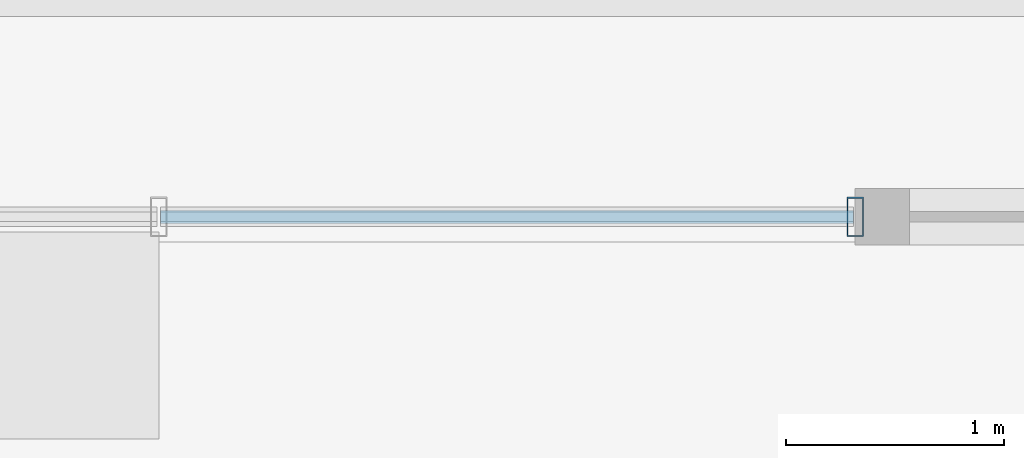
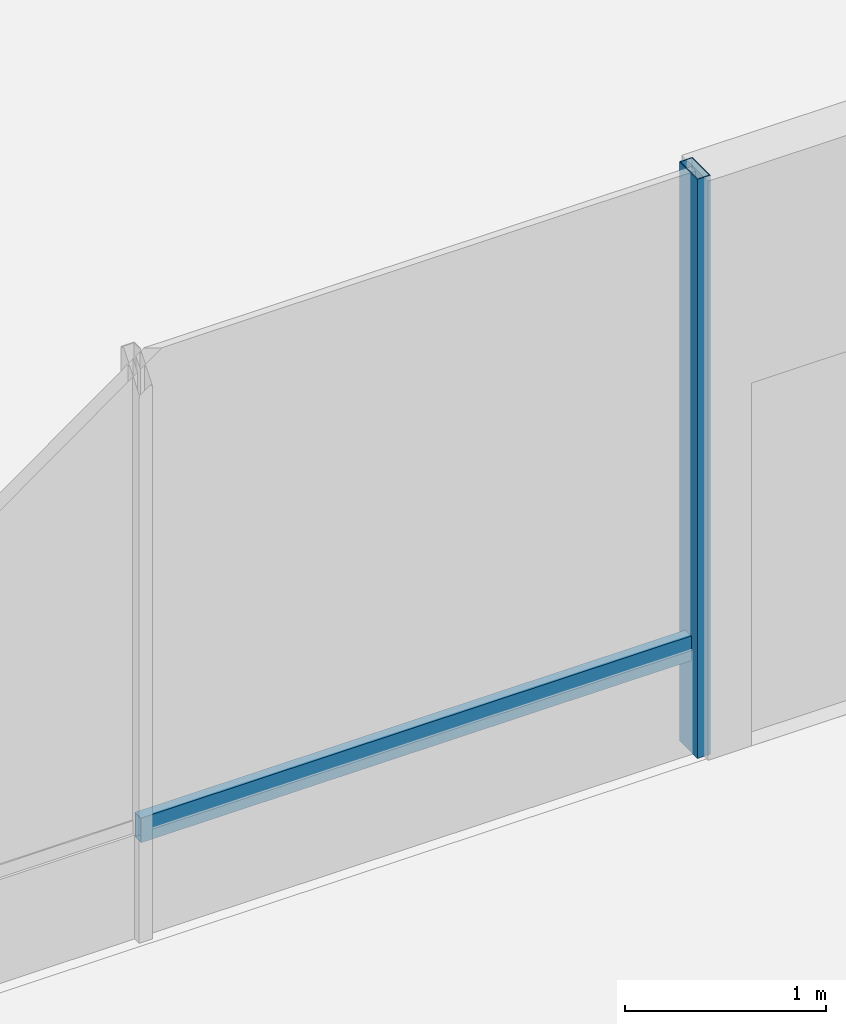
# One storey, part 3 of 18: 2 members, 1 element without a shape of its own.
"""IFC4 building model written with IfcOpenShell, lengths in metres."""

from ifc_helpers import new_model, si_unit, direction, frame, origin, origin_2d, place, context, subcontext, project, spatial, hollow_rectangle, extrude, material, layer, layer_set, material_profile, profile_set, type_object, element, aggregate, save


model = new_model("IFC4")

# Units and contexts
model_context = context("Model", 3, precision=1e-05, world=origin(), true_north=direction((0.0, 1.0)))
body_context = subcontext(model_context, "Body", "Model", "MODEL_VIEW")
ifc_project = project(units=[si_unit("LENGTHUNIT", "METRE"), si_unit("AREAUNIT", "SQUARE_METRE"), si_unit("VOLUMEUNIT", "CUBIC_METRE"), si_unit("PLANEANGLEUNIT", "RADIAN"), si_unit("MASSUNIT", "GRAM", prefix="KILO")], contexts=[model_context])

# Site, building, storey
site_placement = place(None, origin())
site = spatial("IfcSite", under=ifc_project, at=site_placement, CompositionType="ELEMENT")
building_placement = place(site_placement, origin())
building = spatial("IfcBuilding", under=site, at=building_placement, Name="Belovzor Exchange Tower", CompositionType="ELEMENT")
storey_placement = place(building_placement, frame((0.0, 0.0, 318.0)))
storey = spatial("IfcBuildingStorey", under=building, at=storey_placement, Name="L79", CompositionType="ELEMENT", Elevation=318.0)

# Curtain wall, members
ifc_material_1 = material(Name="Anodised Aluminium Framing", Category="aluminium")
ifc_layer = layer(ifc_material_1, 0.179931640625)
ifc_layer_set = layer_set([ifc_layer], Name="Anodised Aluminium Framing")
curtain_wall_type = type_object("IfcCurtainWallType", Name="Recessed Loggia Low-Iron Triple-Glazed Curtain Wall", PredefinedType="NOTDEFINED", material=ifc_layer_set)
curtain_wall_placement = place(storey_placement, origin())
curtain_wall = element("IfcCurtainWall", 1, at=curtain_wall_placement, inside=storey, type_object=curtain_wall_type, Name="CW3 Recessed Loggia Low-Iron Triple-Glazed Curtain Wall L79", PredefinedType="NOTDEFINED")
ifc_material_2 = material(Name="Steel S355", Category="steel")
ifc_material_profile_1 = material_profile(ifc_material_2, hollow_rectangle(XDim=0.074951171875, YDim=0.179931640625, WallThickness=0.0048828125, at=origin_2d()))
ifc_profile_set_1 = profile_set([ifc_material_profile_1], Name="Steel S355")
member_type_1 = type_object("IfcMemberType", Name="Thermally Broken Curtain Wall Mullion 180x75", PredefinedType="MULLION", material=ifc_profile_set_1)
member_1_placement = place(storey_placement, frame((33.60009765625, 6.1298828125, 0.0), z_axis=(0.0, 0.0, 1.0), x_axis=(-1.0, 0.0, 0.0)))
member_1 = element("IfcMember", 2, at=member_1_placement, type_object=member_type_1, Name="CW-M180 Curtain Wall Mullion 1", PredefinedType="MULLION", context=body_context, shape_type="SweptSolid", body=[
    extrude(hollow_rectangle(XDim=0.074951171875, YDim=0.179931640625, WallThickness=0.0048828125, at=origin_2d()), origin(), (0.0, 0.0, 1.0), 3.510009765625),
])
ifc_material_3 = material(Name="Steel S355", Category="steel")
ifc_material_profile_2 = material_profile(ifc_material_3, hollow_rectangle(XDim=0.06005859375, YDim=0.14990234375, WallThickness=0.00390625, at=origin_2d()))
ifc_profile_set_2 = profile_set([ifc_material_profile_2], Name="Steel S355")
member_type_2 = type_object("IfcMemberType", Name="Thermally Broken Curtain Wall Transom 150x60", PredefinedType="USERDEFINED", material=ifc_profile_set_2)
member_2_placement = place(storey_placement, frame((33.592041015625, 6.1298828125, 0.632080078125), z_axis=(-1.0, 0.0, 0.0), x_axis=(0.0, -1.0, 0.0)))
member_2 = element("IfcMember", 3, at=member_2_placement, type_object=member_type_2, Name="CW-T150 Curtain Wall Transom 1", ObjectType="TRANSOM", PredefinedType="USERDEFINED", context=body_context, shape_type="SweptSolid", body=[
    extrude(hollow_rectangle(XDim=0.06005859375, YDim=0.14990234375, WallThickness=0.00390625, at=origin_2d()), origin(), (0.0, 0.0, 1.0), 3.18408203125),
])
aggregate(curtain_wall, [member_1, member_2])

save(model, "model.ifc")
